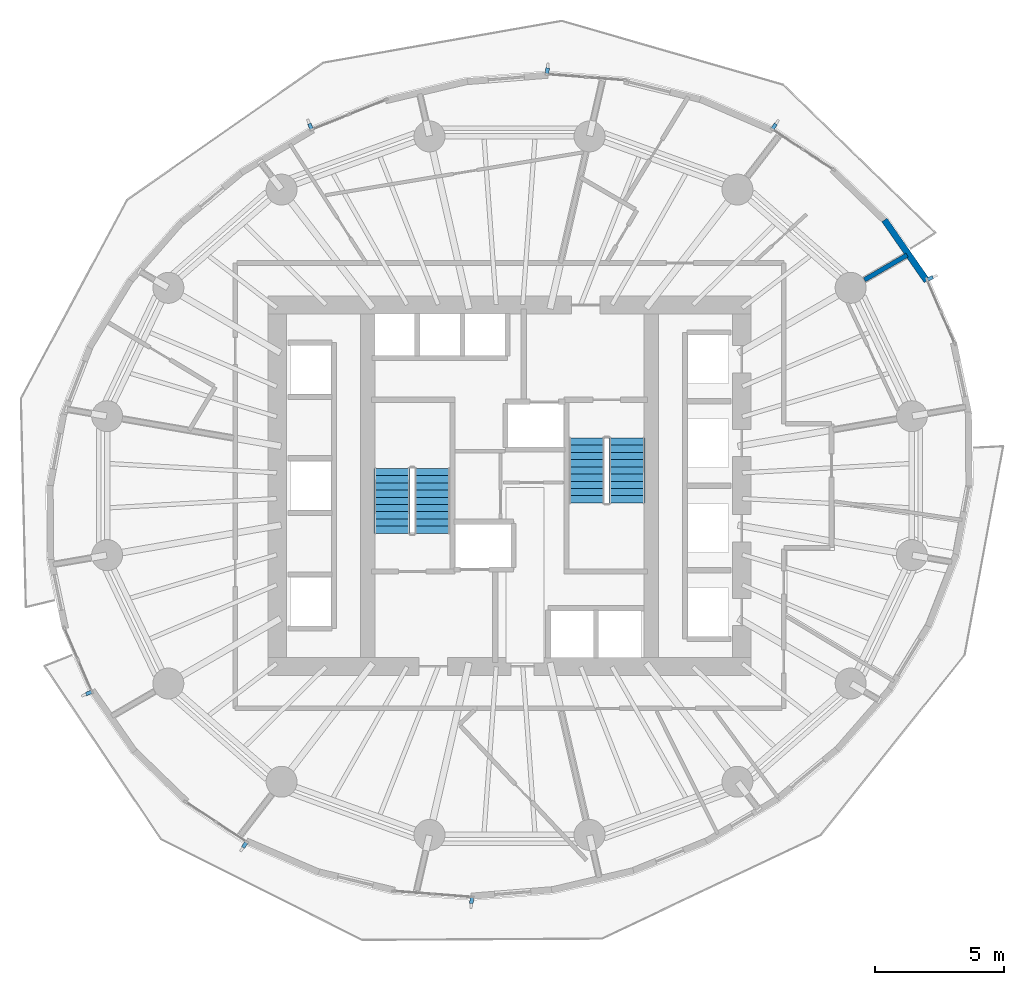
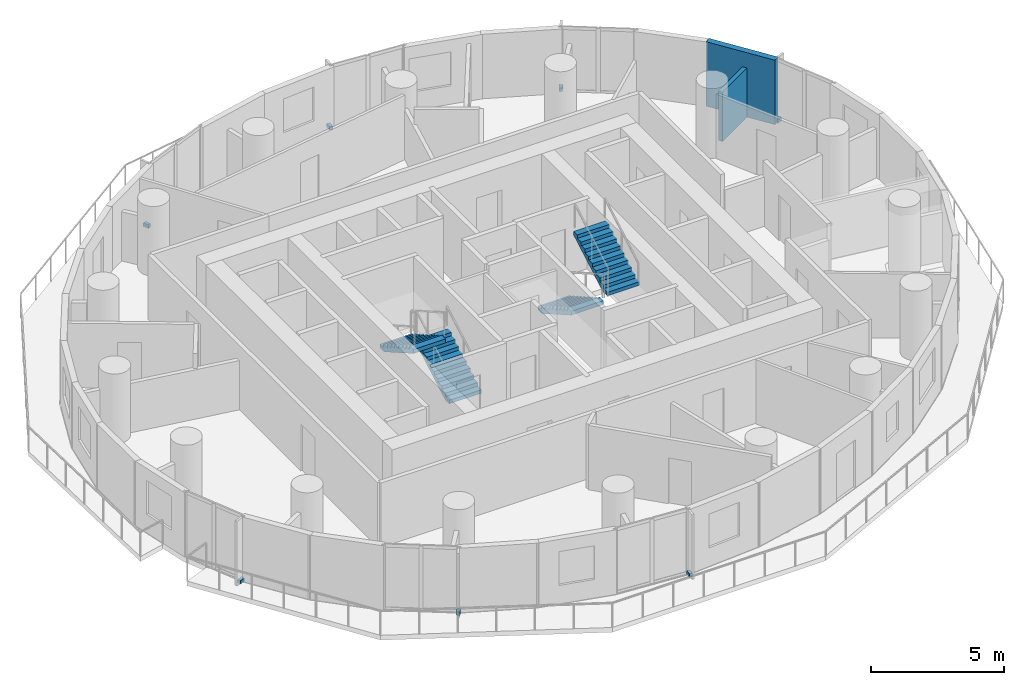
# One storey, part 10 of 14: 7 discrete accessories, 4 stair flights, 2 walls, 2 elements without a shape of their own.
"""IFC4 building model written with IfcOpenShell, lengths in metres."""

from ifc_helpers import new_model, si_unit, direction, frame, frame_2d, origin, origin_2d, place, context, subcontext, project, spatial, polyline, rectangle, outline, extrude, material, layer, layer_set, type_object, element, aggregate, save


model = new_model("IFC4")

# Units and contexts
model_context = context("Model", 3, precision=1e-05, world=origin(), true_north=direction((0.0, 1.0)))
body_context = subcontext(model_context, "Body", "Model", "MODEL_VIEW")
ifc_project = project(units=[si_unit("LENGTHUNIT", "METRE"), si_unit("AREAUNIT", "SQUARE_METRE"), si_unit("VOLUMEUNIT", "CUBIC_METRE"), si_unit("PLANEANGLEUNIT", "RADIAN"), si_unit("MASSUNIT", "GRAM", prefix="KILO")], contexts=[model_context])

# Site, building, storey
site_placement = place(None, origin())
site = spatial("IfcSite", under=ifc_project, at=site_placement, CompositionType="ELEMENT")
building_placement = place(site_placement, origin())
building = spatial("IfcBuilding", under=site, at=building_placement, Name="Veldorim Arch Residences", CompositionType="ELEMENT")
storey_placement = place(building_placement, frame((0.0, 0.0, 80.47998046875)))
storey = spatial("IfcBuildingStorey", under=building, at=storey_placement, Name="L23", CompositionType="ELEMENT", Elevation=80.47998046875)

# Walls
ifc_material_1 = material(Name="Lightweight Masonry Block & Gypsum", Category="masonry")
ifc_layer_1 = layer(ifc_material_1, 0.179931640625, Name="Compartment & Corridor Fire-Rated Party Wall 180")
ifc_layer_set_1 = layer_set([ifc_layer_1], Name="Lightweight Masonry Block & Gypsum")
wall_type_1 = type_object("IfcWallType", Name="Compartment & Corridor Fire-Rated Party Wall 180", PredefinedType="PARTITIONING", material=ifc_layer_set_1)
wall_1_placement = place(storey_placement, frame((45.756591796875, 31.977783203125, 0.0), z_axis=(0.0, 0.0, 1.0), x_axis=(0.86503562166, 0.501710447628, 0.0)))
element("IfcWall", 1, at=wall_1_placement, inside=storey, type_object=wall_type_1, Name="L23 interior wall WL-PIER-L23-02", PredefinedType="PARTITIONING", context=body_context, shape_type="SweptSolid", body=[
    extrude(rectangle(XDim=1.912353515625, YDim=0.179931640625, at=frame_2d((0.9560546875, 0.0))), origin(), (0.0, 0.0, 1.0), 2.260498046875),
])
ifc_material_2 = material(Name="Precast concrete C40/50", Category="concrete")
ifc_layer_2 = layer(ifc_material_2, 0.25, Name="Tower Terracotta Spandrel & Pier Wall 250")
ifc_layer_set_2 = layer_set([ifc_layer_2], Name="Precast concrete C40/50")
wall_type_2 = type_object("IfcWallType", Name="Tower Terracotta Spandrel & Pier Wall 250", PredefinedType="SOLIDWALL", material=ifc_layer_set_2)
wall_2_placement = place(storey_placement, frame((46.532470703125, 34.298095703125, 0.0), z_axis=(0.0, 0.0, 1.0), x_axis=(0.570574087236, -0.821246133005, 0.0)))
element("IfcWall", 2, at=wall_2_placement, inside=storey, type_object=wall_type_2, Name="L23 terracotta facade wall 02", PredefinedType="SOLIDWALL", context=body_context, shape_type="SweptSolid", body=[
    extrude(rectangle(XDim=2.8740234375, YDim=0.25, at=frame_2d((1.43701171875, 0.0))), origin(), (0.0, 0.0, 1.0), 2.9599609375),
])

# Stair, stair flights
ifc_material_3 = material(Name="Concrete C40/50", Category="concrete")
stair_type = type_object("IfcStairType", Name="Reinforced Concrete Dogleg Exit Staircase", PredefinedType="HALF_TURN_STAIR", material=ifc_material_3)
stair_1_placement = place(storey_placement, origin())
stair_1 = element("IfcStair", 3, at=stair_1_placement, inside=storey, type_object=stair_type, Name="L23 Exit Staircase ST-1", PredefinedType="HALF_TURN_STAIR")
ifc_material_4 = material(Name="Concrete C40/50", Category="concrete")
stair_flight_type = type_object("IfcStairFlightType", Name="Reinforced Concrete Stair Flight 1400", PredefinedType="STRAIGHT", material=ifc_material_4)
stair_flight_1_placement = place(storey_placement, frame((29.010009765625, 22.14990234375, 0.0), z_axis=(0.0, 0.0, 1.0), x_axis=(0.0, 1.0, 0.0)))
stair_flight_1 = element("IfcStairFlight", 4, at=stair_flight_1_placement, type_object=stair_flight_type, Name="ST-1 flight 1", NumberOfRisers=10, NumberOfTreads=9, PredefinedType="STRAIGHT", RiserHeight=0.16, TreadLength=0.28, context=body_context, shape_type="SweptSolid", body=[
    extrude(outline(polyline([(0.0, 0.0), (0.0, 0.159912109375), (0.280029296875, 0.159912109375), (0.280029296875, 0.320068359375), (0.56005859375, 0.320068359375), (0.56005859375, 0.47998046875), (0.840087890625, 0.47998046875), (0.840087890625, 0.639892578125), (1.1201171875, 0.639892578125), (1.1201171875, 0.800048828125), (1.39990234375, 0.800048828125), (1.39990234375, 0.9599609375), (1.679931640625, 0.9599609375), (1.679931640625, 1.1201171875), (1.9599609375, 1.1201171875), (1.9599609375, 1.280029296875), (2.239990234375, 1.280029296875), (2.239990234375, 1.43994140625), (2.52001953125, 1.43994140625), (2.52001953125, 1.60009765625), (2.52001953125, 1.255859375), (0.322265625, 0.0), (0.0, 0.0)])), frame((0.0, 0.699951171875, 0.0), z_axis=(0.0, -1.0, 0.0), x_axis=(1.0, 0.0, 0.0)), (0.0, 0.0, 1.0), 1.39990234375),
])
stair_flight_2_placement = place(storey_placement, frame((27.449951171875, 24.669921875, 1.60009765625), z_axis=(0.0, 0.0, 1.0), x_axis=(0.0, -1.0, 0.0)))
stair_flight_2 = element("IfcStairFlight", 5, at=stair_flight_2_placement, type_object=stair_flight_type, Name="ST-1 flight 2", NumberOfRisers=10, NumberOfTreads=9, PredefinedType="STRAIGHT", RiserHeight=0.16, TreadLength=0.28, context=body_context, shape_type="SweptSolid", body=[
    extrude(outline(polyline([(0.0, 0.0), (0.0, 0.159912109375), (0.280029296875, 0.159912109375), (0.280029296875, 0.320068359375), (0.56005859375, 0.320068359375), (0.56005859375, 0.47998046875), (0.840087890625, 0.47998046875), (0.840087890625, 0.639892578125), (1.1201171875, 0.639892578125), (1.1201171875, 0.800048828125), (1.39990234375, 0.800048828125), (1.39990234375, 0.9599609375), (1.679931640625, 0.9599609375), (1.679931640625, 1.1201171875), (1.9599609375, 1.1201171875), (1.9599609375, 1.280029296875), (2.239990234375, 1.280029296875), (2.239990234375, 1.43994140625), (2.52001953125, 1.43994140625), (2.52001953125, 1.60009765625), (2.52001953125, 1.255859375), (0.322265625, 0.0), (0.0, 0.0)])), frame((0.0, 0.699951171875, 0.0), z_axis=(0.0, -1.0, 0.0), x_axis=(1.0, 0.0, 0.0)), (0.0, 0.0, 1.0), 1.39990234375),
])
aggregate(stair_1, [stair_flight_1, stair_flight_2])

stair_2_placement = place(storey_placement, origin())
stair_2 = element("IfcStair", 6, at=stair_2_placement, inside=storey, type_object=stair_type, Name="L23 Exit Staircase ST-2", PredefinedType="HALF_TURN_STAIR")
stair_flight_3_placement = place(storey_placement, frame((34.989990234375, 25.85009765625, 0.0), z_axis=(0.0, 0.0, 1.0), x_axis=(0.0, -1.0, 0.0)))
stair_flight_3 = element("IfcStairFlight", 7, at=stair_flight_3_placement, type_object=stair_flight_type, Name="ST-2 flight 1", NumberOfRisers=10, NumberOfTreads=9, PredefinedType="STRAIGHT", RiserHeight=0.16, TreadLength=0.28, context=body_context, shape_type="SweptSolid", body=[
    extrude(outline(polyline([(0.0, 0.0), (0.0, 0.159912109375), (0.280029296875, 0.159912109375), (0.280029296875, 0.320068359375), (0.56005859375, 0.320068359375), (0.56005859375, 0.47998046875), (0.840087890625, 0.47998046875), (0.840087890625, 0.639892578125), (1.1201171875, 0.639892578125), (1.1201171875, 0.800048828125), (1.39990234375, 0.800048828125), (1.39990234375, 0.9599609375), (1.679931640625, 0.9599609375), (1.679931640625, 1.1201171875), (1.9599609375, 1.1201171875), (1.9599609375, 1.280029296875), (2.239990234375, 1.280029296875), (2.239990234375, 1.43994140625), (2.52001953125, 1.43994140625), (2.52001953125, 1.60009765625), (2.52001953125, 1.255859375), (0.322265625, 0.0), (0.0, 0.0)])), frame((0.0, 0.699951171875, 0.0), z_axis=(0.0, -1.0, 0.0), x_axis=(1.0, 0.0, 0.0)), (0.0, 0.0, 1.0), 1.39990234375),
])
stair_flight_4_placement = place(storey_placement, frame((36.550048828125, 23.330078125, 1.60009765625), z_axis=(0.0, 0.0, 1.0), x_axis=(0.0, 1.0, 0.0)))
stair_flight_4 = element("IfcStairFlight", 8, at=stair_flight_4_placement, type_object=stair_flight_type, Name="ST-2 flight 2", NumberOfRisers=10, NumberOfTreads=9, PredefinedType="STRAIGHT", RiserHeight=0.16, TreadLength=0.28, context=body_context, shape_type="SweptSolid", body=[
    extrude(outline(polyline([(0.0, 0.0), (0.0, 0.159912109375), (0.280029296875, 0.159912109375), (0.280029296875, 0.320068359375), (0.56005859375, 0.320068359375), (0.56005859375, 0.47998046875), (0.840087890625, 0.47998046875), (0.840087890625, 0.639892578125), (1.1201171875, 0.639892578125), (1.1201171875, 0.800048828125), (1.39990234375, 0.800048828125), (1.39990234375, 0.9599609375), (1.679931640625, 0.9599609375), (1.679931640625, 1.1201171875), (1.9599609375, 1.1201171875), (1.9599609375, 1.280029296875), (2.239990234375, 1.280029296875), (2.239990234375, 1.43994140625), (2.52001953125, 1.43994140625), (2.52001953125, 1.60009765625), (2.52001953125, 1.255859375), (0.322265625, 0.0), (0.0, 0.0)])), frame((0.0, 0.699951171875, 0.0), z_axis=(0.0, -1.0, 0.0), x_axis=(1.0, 0.0, 0.0)), (0.0, 0.0, 1.0), 1.39990234375),
])
aggregate(stair_2, [stair_flight_3, stair_flight_4])

# Discrete accessories
ifc_material_5 = material(Name="Stainless Steel", Category="steel")
discrete_accessory_type = type_object("IfcDiscreteAccessoryType", Name="Stainless Steel Facade Fin Anchor Bracket", PredefinedType="BRACKET", material=ifc_material_5)
for number, where, z_axis, x_axis, name in (
    (9, (48.30126953125, 32.033203125, -0.02001953125), (0.0, 0.0, 1.0), (0.396987706187, -0.917823927089, 0.0), "L23 stainless fin anchor bracket 01"),
    (10, (42.259521484375, 37.9208984375, -0.02001953125), (0.0, 0.0, 1.0), (0.834174701276, -0.551500288078, 0.0), "L23 stainless fin anchor bracket 04"),
    (11, (33.468505859375, 40.0751953125, -0.02001953125), (0.0, 0.0, 1.0), (0.997052752227, -0.076719028127, 0.0), "L23 stainless fin anchor bracket 07"),
    (12, (24.287109375, 37.922119140625, -0.02001953125), (0.0, 0.0, 1.0), (0.927314560446, 0.374282922379, 0.0), "L23 stainless fin anchor bracket 10"),
    (13, (15.69873046875, 15.966796875, -0.02001953125), (0.0, 0.0, 1.0), (-0.396987706187, 0.917823927089, 0.0), "L23 stainless fin anchor bracket 19"),
    (14, (21.740478515625, 10.0791015625, -0.02001953125), (0.0, 0.0, 1.0), (-0.834174701276, 0.551500288078, 0.0), "L23 stainless fin anchor bracket 22"),
    (15, (30.531494140625, 7.9248046875, -0.02001953125), (0.0, 0.0, 1.0), (-0.997052752227, 0.076719028127, 0.0), "L23 stainless fin anchor bracket 25"),
):
    element("IfcDiscreteAccessory", number, at=place(storey_placement, frame(where, z_axis=z_axis, x_axis=x_axis)), inside=storey, type_object=discrete_accessory_type, Name=name, PredefinedType="BRACKET", context=body_context, shape_type="SweptSolid", body=[
        extrude(rectangle(XDim=0.139892578125, YDim=0.239990234375, at=origin_2d()), origin(), (0.0, 0.0, 1.0), 0.159912109375),
    ])

save(model, "model.ifc")
